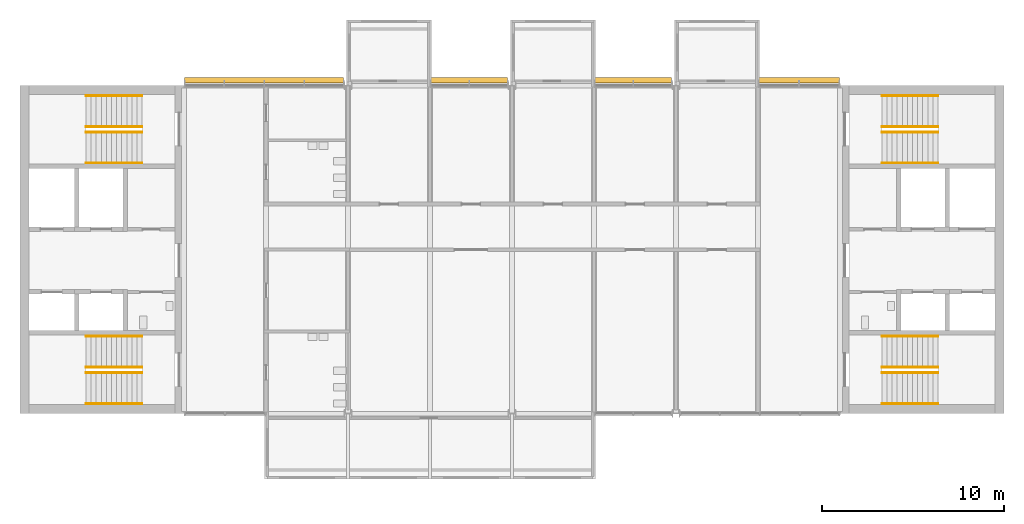
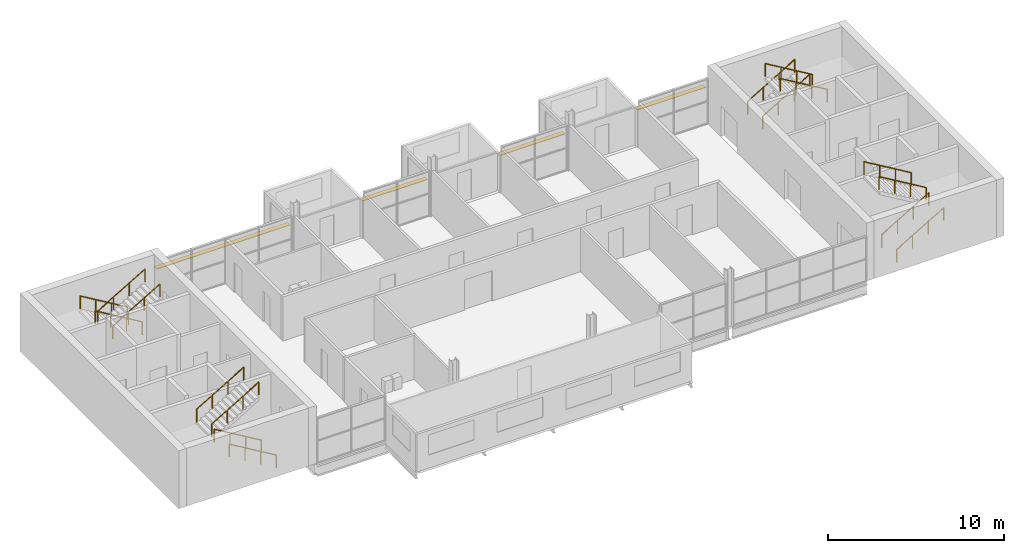
# One storey, part 10 of 11: 16 railings, 4 shading devices.
"""IFC4 building model written with IfcOpenShell, lengths in metres."""

from ifc_helpers import new_model, si_unit, direction, frame, origin, origin_2d, place, context, subcontext, project, spatial, rectangle, circle, extrude, material, layer, layer_set, type_object, element, save


model = new_model("IFC4")

# Units and contexts
model_context = context("Model", 3, precision=1e-05, world=origin(), true_north=direction((0.0, 1.0)))
body_context = subcontext(model_context, "Body", "Model", "MODEL_VIEW")
ifc_project = project(units=[si_unit("LENGTHUNIT", "METRE"), si_unit("AREAUNIT", "SQUARE_METRE"), si_unit("VOLUMEUNIT", "CUBIC_METRE"), si_unit("PLANEANGLEUNIT", "RADIAN"), si_unit("MASSUNIT", "GRAM", prefix="KILO")], contexts=[model_context])

# Site, building, storey
site_placement = place(None, origin())
site = spatial("IfcSite", under=ifc_project, at=site_placement, CompositionType="ELEMENT")
building_placement = place(site_placement, origin())
building = spatial("IfcBuilding", under=site, at=building_placement, Name="Corbel Yard City Hall", CompositionType="ELEMENT")
storey_placement = place(building_placement, frame((0.0, 0.0, 39.199951171875)))
storey = spatial("IfcBuildingStorey", under=building, at=storey_placement, Name="L09", CompositionType="ELEMENT", Elevation=39.199951171875)

# Railings
ifc_material_1 = material(Name="Stainless steel Grade 316", Category="steel")
railing_type = type_object("IfcRailingType", Name="HR1", PredefinedType="HANDRAIL", material=ifc_material_1)
for number, where, name in (
    (1, (6.699951171875, 99.550048828125, 0.166748046875), "Exit stair ST-W1 handrail"),
    (2, (6.699951171875, 101.25, 0.166748046875), "Exit stair ST-W1 handrail"),
):
    element("IfcRailing", number, at=place(storey_placement, frame(where)), inside=storey, type_object=railing_type, Name=name, PredefinedType="HANDRAIL", context=body_context, shape_type="SweptSolid", body=[
        extrude(circle(Radius=0.02392578125, at=origin_2d()), frame((0.0, 0.0, 0.8759765625), z_axis=(-0.859290745958, 0.0, 0.51148745235), x_axis=(0.0, -1.0, 0.0)), (0.0, 0.0, 1.0), 3.584228515625),
        extrude(circle(Radius=0.02099609375, at=origin_2d()), origin(), (0.0, 0.0, 1.0), 0.851806640625),
        extrude(circle(Radius=0.02099609375, at=origin_2d()), frame((-1.026611328125, 0.0, 0.611083984375)), (0.0, 0.0, 1.0), 0.851806640625),
        extrude(circle(Radius=0.02099609375, at=origin_2d()), frame((-2.05322265625, 0.0, 1.22216796875)), (0.0, 0.0, 1.0), 0.851806640625),
        extrude(circle(Radius=0.02099609375, at=origin_2d()), frame((-3.079833984375, 0.0, 1.833251953125)), (0.0, 0.0, 1.0), 0.851806640625),
    ])
for number, where, name in (
    (3, (3.6201171875, 101.550048828125, 2.166748046875), "Exit stair ST-W1 handrail"),
    (4, (3.6201171875, 103.25, 2.166748046875), "Exit stair ST-W1 handrail"),
):
    element("IfcRailing", number, at=place(storey_placement, frame(where)), inside=storey, type_object=railing_type, Name=name, PredefinedType="HANDRAIL", context=body_context, shape_type="SweptSolid", body=[
        extrude(circle(Radius=0.02392578125, at=origin_2d()), frame((0.0, 0.0, 0.8759765625), z_axis=(0.859290745958, 0.0, 0.51148745235), x_axis=(0.0, 1.0, 0.0)), (0.0, 0.0, 1.0), 3.584228515625),
        extrude(circle(Radius=0.02099609375, at=origin_2d()), origin(), (0.0, 0.0, 1.0), 0.851806640625),
        extrude(circle(Radius=0.02099609375, at=origin_2d()), frame((1.026611328125, 0.0, 0.611083984375)), (0.0, 0.0, 1.0), 0.851806640625),
        extrude(circle(Radius=0.02099609375, at=origin_2d()), frame((2.05322265625, 0.0, 1.22216796875)), (0.0, 0.0, 1.0), 0.851806640625),
        extrude(circle(Radius=0.02099609375, at=origin_2d()), frame((3.079833984375, 0.0, 1.833251953125)), (0.0, 0.0, 1.0), 0.851806640625),
    ])
for number, where, name in (
    (5, (6.699951171875, 116.449951171875, 0.166748046875), "Exit stair ST-W2 handrail"),
    (6, (6.699951171875, 114.75, 0.166748046875), "Exit stair ST-W2 handrail"),
):
    element("IfcRailing", number, at=place(storey_placement, frame(where)), inside=storey, type_object=railing_type, Name=name, PredefinedType="HANDRAIL", context=body_context, shape_type="SweptSolid", body=[
        extrude(circle(Radius=0.02392578125, at=origin_2d()), frame((0.0, 0.0, 0.8759765625), z_axis=(-0.859290745958, 0.0, 0.51148745235), x_axis=(0.0, -1.0, 0.0)), (0.0, 0.0, 1.0), 3.584228515625),
        extrude(circle(Radius=0.02099609375, at=origin_2d()), origin(), (0.0, 0.0, 1.0), 0.851806640625),
        extrude(circle(Radius=0.02099609375, at=origin_2d()), frame((-1.026611328125, 0.0, 0.611083984375)), (0.0, 0.0, 1.0), 0.851806640625),
        extrude(circle(Radius=0.02099609375, at=origin_2d()), frame((-2.05322265625, 0.0, 1.22216796875)), (0.0, 0.0, 1.0), 0.851806640625),
        extrude(circle(Radius=0.02099609375, at=origin_2d()), frame((-3.079833984375, 0.0, 1.833251953125)), (0.0, 0.0, 1.0), 0.851806640625),
    ])
for number, where, name in (
    (7, (3.6201171875, 114.449951171875, 2.166748046875), "Exit stair ST-W2 handrail"),
    (8, (3.6201171875, 112.75, 2.166748046875), "Exit stair ST-W2 handrail"),
    (9, (47.300048828125, 99.550048828125, 0.166748046875), "Exit stair ST-E1 handrail"),
    (10, (47.300048828125, 101.25, 0.166748046875), "Exit stair ST-E1 handrail"),
):
    element("IfcRailing", number, at=place(storey_placement, frame(where)), inside=storey, type_object=railing_type, Name=name, PredefinedType="HANDRAIL", context=body_context, shape_type="SweptSolid", body=[
        extrude(circle(Radius=0.02392578125, at=origin_2d()), frame((0.0, 0.0, 0.8759765625), z_axis=(0.859290745958, 0.0, 0.51148745235), x_axis=(0.0, 1.0, 0.0)), (0.0, 0.0, 1.0), 3.584228515625),
        extrude(circle(Radius=0.02099609375, at=origin_2d()), origin(), (0.0, 0.0, 1.0), 0.851806640625),
        extrude(circle(Radius=0.02099609375, at=origin_2d()), frame((1.026611328125, 0.0, 0.611083984375)), (0.0, 0.0, 1.0), 0.851806640625),
        extrude(circle(Radius=0.02099609375, at=origin_2d()), frame((2.05322265625, 0.0, 1.22216796875)), (0.0, 0.0, 1.0), 0.851806640625),
        extrude(circle(Radius=0.02099609375, at=origin_2d()), frame((3.079833984375, 0.0, 1.833251953125)), (0.0, 0.0, 1.0), 0.851806640625),
    ])
for number, where, name in (
    (11, (50.3798828125, 101.550048828125, 2.166748046875), "Exit stair ST-E1 handrail"),
    (12, (50.3798828125, 103.25, 2.166748046875), "Exit stair ST-E1 handrail"),
):
    element("IfcRailing", number, at=place(storey_placement, frame(where)), inside=storey, type_object=railing_type, Name=name, PredefinedType="HANDRAIL", context=body_context, shape_type="SweptSolid", body=[
        extrude(circle(Radius=0.02392578125, at=origin_2d()), frame((0.0, 0.0, 0.8759765625), z_axis=(-0.859290745958, 0.0, 0.51148745235), x_axis=(0.0, -1.0, 0.0)), (0.0, 0.0, 1.0), 3.584228515625),
        extrude(circle(Radius=0.02099609375, at=origin_2d()), origin(), (0.0, 0.0, 1.0), 0.851806640625),
        extrude(circle(Radius=0.02099609375, at=origin_2d()), frame((-1.026611328125, 0.0, 0.611083984375)), (0.0, 0.0, 1.0), 0.851806640625),
        extrude(circle(Radius=0.02099609375, at=origin_2d()), frame((-2.05322265625, 0.0, 1.22216796875)), (0.0, 0.0, 1.0), 0.851806640625),
        extrude(circle(Radius=0.02099609375, at=origin_2d()), frame((-3.079833984375, 0.0, 1.833251953125)), (0.0, 0.0, 1.0), 0.851806640625),
    ])
for number, where, name in (
    (13, (47.300048828125, 116.449951171875, 0.166748046875), "Exit stair ST-E2 handrail"),
    (14, (47.300048828125, 114.75, 0.166748046875), "Exit stair ST-E2 handrail"),
):
    element("IfcRailing", number, at=place(storey_placement, frame(where)), inside=storey, type_object=railing_type, Name=name, PredefinedType="HANDRAIL", context=body_context, shape_type="SweptSolid", body=[
        extrude(circle(Radius=0.02392578125, at=origin_2d()), frame((0.0, 0.0, 0.8759765625), z_axis=(0.859290745958, 0.0, 0.51148745235), x_axis=(0.0, 1.0, 0.0)), (0.0, 0.0, 1.0), 3.584228515625),
        extrude(circle(Radius=0.02099609375, at=origin_2d()), origin(), (0.0, 0.0, 1.0), 0.851806640625),
        extrude(circle(Radius=0.02099609375, at=origin_2d()), frame((1.026611328125, 0.0, 0.611083984375)), (0.0, 0.0, 1.0), 0.851806640625),
        extrude(circle(Radius=0.02099609375, at=origin_2d()), frame((2.05322265625, 0.0, 1.22216796875)), (0.0, 0.0, 1.0), 0.851806640625),
        extrude(circle(Radius=0.02099609375, at=origin_2d()), frame((3.079833984375, 0.0, 1.833251953125)), (0.0, 0.0, 1.0), 0.851806640625),
    ])
for number, where, name in (
    (15, (50.3798828125, 114.449951171875, 2.166748046875), "Exit stair ST-E2 handrail"),
    (16, (50.3798828125, 112.75, 2.166748046875), "Exit stair ST-E2 handrail"),
):
    element("IfcRailing", number, at=place(storey_placement, frame(where)), inside=storey, type_object=railing_type, Name=name, PredefinedType="HANDRAIL", context=body_context, shape_type="SweptSolid", body=[
        extrude(circle(Radius=0.02392578125, at=origin_2d()), frame((0.0, 0.0, 0.8759765625), z_axis=(-0.859290745958, 0.0, 0.51148745235), x_axis=(0.0, -1.0, 0.0)), (0.0, 0.0, 1.0), 3.584228515625),
        extrude(circle(Radius=0.02099609375, at=origin_2d()), origin(), (0.0, 0.0, 1.0), 0.851806640625),
        extrude(circle(Radius=0.02099609375, at=origin_2d()), frame((-1.026611328125, 0.0, 0.611083984375)), (0.0, 0.0, 1.0), 0.851806640625),
        extrude(circle(Radius=0.02099609375, at=origin_2d()), frame((-2.05322265625, 0.0, 1.22216796875)), (0.0, 0.0, 1.0), 0.851806640625),
        extrude(circle(Radius=0.02099609375, at=origin_2d()), frame((-3.079833984375, 0.0, 1.833251953125)), (0.0, 0.0, 1.0), 0.851806640625),
    ])

# Shading devices
ifc_material_2 = material(Name="Anodised aluminium", Category="aluminium")
ifc_layer = layer(ifc_material_2, 0.0400390625)
ifc_layer_set = layer_set([ifc_layer], Name="Anodised aluminium")
shading_device_type = type_object("IfcShadingDeviceType", Name="LV1", PredefinedType="JALOUSIE", material=ifc_layer_set)
shading_device_1_placement = place(storey_placement, frame((13.396484375, 117.2900390625, 2.392578125), z_axis=(0.0, 0.0, 1.0), x_axis=(1.0, 0.0, 0.0)))
element("IfcShadingDevice", 17, at=shading_device_1_placement, inside=storey, type_object=shading_device_type, Name="Louvre blade", PredefinedType="JALOUSIE", context=body_context, shape_type="SweptSolid", body=[
    extrude(rectangle(XDim=8.72802734375, YDim=0.300048828125, at=origin_2d()), origin(), (0.0, 0.0, 1.0), 0.0400390625),
])
for number, where, z_axis, x_axis, name in (
    (18, (24.646484375, 117.2900390625, 2.392578125), (0.0, 0.0, 1.0), (1.0, 0.0, 0.0), "Louvre blade"),
    (19, (33.646484375, 117.2900390625, 2.392578125), (0.0, 0.0, 1.0), (1.0, 0.0, 0.0), "Louvre blade"),
):
    element("IfcShadingDevice", number, at=place(storey_placement, frame(where, z_axis=z_axis, x_axis=x_axis)), inside=storey, type_object=shading_device_type, Name=name, PredefinedType="JALOUSIE", context=body_context, shape_type="SweptSolid", body=[
        extrude(rectangle(XDim=4.22802734375, YDim=0.300048828125, at=origin_2d()), origin(), (0.0, 0.0, 1.0), 0.0400390625),
    ])
shading_device_2_placement = place(storey_placement, frame((42.75, 117.2900390625, 2.392578125), z_axis=(0.0, 0.0, 1.0), x_axis=(1.0, 0.0, 0.0)))
element("IfcShadingDevice", 20, at=shading_device_2_placement, inside=storey, type_object=shading_device_type, Name="Louvre blade", PredefinedType="JALOUSIE", context=body_context, shape_type="SweptSolid", body=[
    extrude(rectangle(XDim=4.43505859375, YDim=0.300048828125, at=origin_2d()), origin(), (0.0, 0.0, 1.0), 0.0400390625),
])

save(model, "model.ifc")
